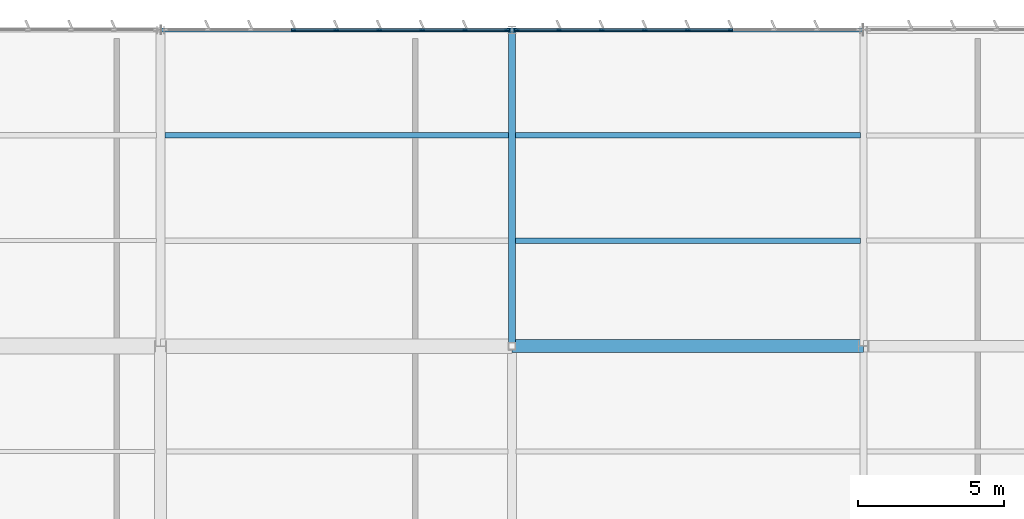
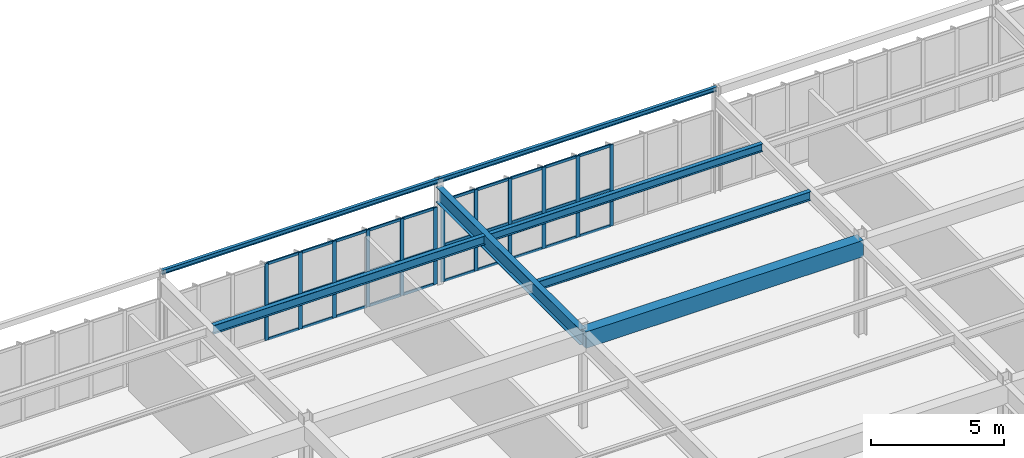
# One storey, part 92 of 226: 42 members, 7 beams, 2 elements without a shape of their own.
"""IFC4 building model written with IfcOpenShell, lengths in metres."""

from ifc_helpers import new_model, si_unit, direction, frame, origin, origin_2d, place, context, subcontext, project, spatial, rectangle, i_section, extrude, material, layer, layer_set, material_profile, profile_set, type_object, element, aggregate, save


model = new_model("IFC4")

# Units and contexts
model_context = context("Model", 3, precision=1e-05, world=origin(), true_north=direction((0.0, 1.0)))
body_context = subcontext(model_context, "Body", "Model", "MODEL_VIEW")
ifc_project = project(units=[si_unit("LENGTHUNIT", "METRE"), si_unit("AREAUNIT", "SQUARE_METRE"), si_unit("VOLUMEUNIT", "CUBIC_METRE"), si_unit("PLANEANGLEUNIT", "RADIAN"), si_unit("MASSUNIT", "GRAM", prefix="KILO")], contexts=[model_context])

# Site, building, storey
site_placement = place(None, origin())
site = spatial("IfcSite", under=ifc_project, at=site_placement, CompositionType="ELEMENT")
building_placement = place(site_placement, origin())
building = spatial("IfcBuilding", under=site, at=building_placement, Name="Tarnwether General Hospital", CompositionType="ELEMENT")
storey_placement = place(building_placement, frame((0.0, 0.0, 4.800048828125)))
storey = spatial("IfcBuildingStorey", under=building, at=storey_placement, Name="L01", CompositionType="ELEMENT", Elevation=4.800048828125)

# Beams
ifc_material_1 = material(Name="Steel Grade 350 (350 MPa)", Category="steel")
ifc_material_profile_1 = material_profile(ifc_material_1, i_section(OverallWidth=0.25, OverallDepth=0.69189453125, WebThickness=0.009033203125, FlangeThickness=0.01611328125, at=origin_2d()), Name="700WB115")
ifc_profile_set_1 = profile_set([ifc_material_profile_1], Name="Steel Grade 350 (350 MPa)")
beam_type_1 = type_object("IfcBeamType", Name="BM-G02", PredefinedType="BEAM", material=ifc_profile_set_1)
beam_1_placement = place(storey_placement, frame((24.0, 115.199951171875, 4.083984375), z_axis=(0.0, 1.0, 0.0), x_axis=(-1.0, 0.0, 0.0)))
element("IfcBeam", 1, at=beam_1_placement, inside=storey, type_object=beam_type_1, Name="Primary Girder BMG-L01-2400_11520-2400_12600-1088", PredefinedType="BEAM", context=body_context, shape_type="SweptSolid", body=[
    extrude(i_section(OverallWidth=0.25, OverallDepth=0.69189453125, WebThickness=0.009033203125, FlangeThickness=0.01611328125, at=origin_2d()), origin(), (0.0, 0.0, 1.0), 10.800048828125),
])
ifc_material_2 = material(Name="Concrete 40 MPa", Category="concrete")
ifc_material_profile_2 = material_profile(ifc_material_2, rectangle(XDim=0.449951171875, YDim=0.75, at=origin_2d()), Name="RC-BM-450x750")
ifc_profile_set_2 = profile_set([ifc_material_profile_2], Name="Concrete 40 MPa")
beam_type_2 = type_object("IfcBeamType", Name="BM-G13", PredefinedType="BEAM", material=ifc_profile_set_2)
beam_2_placement = place(storey_placement, frame((24.0, 115.199951171875, 4.054931640625), z_axis=(1.0, 0.0, 0.0), x_axis=(0.0, 1.0, 0.0)))
element("IfcBeam", 2, at=beam_2_placement, inside=storey, type_object=beam_type_2, Name="Primary Girder BMG-L01-2400_11520-3600_11520-1087", PredefinedType="BEAM", context=body_context, shape_type="SweptSolid", body=[
    extrude(rectangle(XDim=0.449951171875, YDim=0.75, at=origin_2d()), origin(), (0.0, 0.0, 1.0), 12.0),
])
ifc_material_3 = material(Name="Steel Grade 350 (350 MPa)", Category="steel")
ifc_material_profile_3 = material_profile(ifc_material_3, i_section(OverallWidth=0.177978515625, OverallDepth=0.403076171875, WebThickness=0.007568359375, FlangeThickness=0.010986328125, at=origin_2d()), Name="410UB53.7")
ifc_profile_set_3 = profile_set([ifc_material_profile_3], Name="Steel Grade 350 (350 MPa)")
beam_type_3 = type_object("IfcBeamType", Name="BM-J02", PredefinedType="JOIST", material=ifc_profile_set_3)
beam_3_placement = place(storey_placement, frame((12.14404296875, 122.39990234375, 4.228515625), z_axis=(1.0, 0.0, 0.0), x_axis=(0.0, 1.0, 0.0)))
element("IfcBeam", 3, at=beam_3_placement, inside=storey, type_object=beam_type_3, Name="Composite Floor Joist BMG-L01-1214_12240-2388_12240-1318", PredefinedType="JOIST", context=body_context, shape_type="SweptSolid", body=[
    extrude(i_section(OverallWidth=0.177978515625, OverallDepth=0.403076171875, WebThickness=0.007568359375, FlangeThickness=0.010986328125, at=origin_2d()), origin(), (0.0, 0.0, 1.0), 11.737060546875),
])
beam_4_placement = place(storey_placement, frame((24.118896484375, 118.800048828125, 4.228515625), z_axis=(1.0, 0.0, 0.0), x_axis=(0.0, 1.0, 0.0)))
element("IfcBeam", 4, at=beam_4_placement, inside=storey, type_object=beam_type_3, Name="Composite Floor Joist BMG-L01-2412_11880-3589_11880-1327", PredefinedType="JOIST", context=body_context, shape_type="SweptSolid", body=[
    extrude(i_section(OverallWidth=0.177978515625, OverallDepth=0.403076171875, WebThickness=0.007568359375, FlangeThickness=0.010986328125, at=origin_2d()), origin(), (0.0, 0.0, 1.0), 11.773193359375),
])
ifc_material_4 = material(Name="Steel Grade 350 (350 MPa)", Category="steel")
ifc_material_profile_4 = material_profile(ifc_material_4, i_section(OverallWidth=0.172119140625, OverallDepth=0.35888671875, WebThickness=0.008056640625, FlangeThickness=0.012939453125, at=origin_2d()), Name="360UB56.7")
ifc_profile_set_4 = profile_set([ifc_material_profile_4], Name="Steel Grade 350 (350 MPa)")
beam_type_4 = type_object("IfcBeamType", Name="BM-J03", PredefinedType="JOIST", material=ifc_profile_set_4)
beam_5_placement = place(storey_placement, frame((24.118896484375, 122.39990234375, 4.25048828125), z_axis=(1.0, 0.0, 0.0), x_axis=(0.0, 1.0, 0.0)))
element("IfcBeam", 5, at=beam_5_placement, inside=storey, type_object=beam_type_4, Name="Composite Floor Joist BMG-L01-2412_12240-3589_12240-1328", PredefinedType="JOIST", context=body_context, shape_type="SweptSolid", body=[
    extrude(i_section(OverallWidth=0.172119140625, OverallDepth=0.35888671875, WebThickness=0.008056640625, FlangeThickness=0.012939453125, at=origin_2d()), origin(), (0.0, 0.0, 1.0), 11.773193359375),
])
ifc_material_5 = material(Name="Steel Grade 350 (350 MPa)", Category="steel")
ifc_material_profile_5 = material_profile(ifc_material_5, i_section(OverallWidth=0.133056640625, OverallDepth=0.202880859375, WebThickness=0.005859375, FlangeThickness=0.0078125, at=origin_2d()), Name="200UB25.4")
ifc_profile_set_5 = profile_set([ifc_material_profile_5], Name="Steel Grade 350 (350 MPa)")
beam_type_5 = type_object("IfcBeamType", Name="BM-SP5", PredefinedType="SPANDREL", material=ifc_profile_set_5)
beam_6_placement = place(storey_placement, frame((12.0, 126.0, 4.698486328125), z_axis=(1.0, 0.0, 0.0), x_axis=(0.0, 1.0, 0.0)))
element("IfcBeam", 6, at=beam_6_placement, inside=storey, type_object=beam_type_5, Name="Primary Girder BMG-L01-1200_12600-2400_12600-1074", PredefinedType="SPANDREL", context=body_context, shape_type="SweptSolid", body=[
    extrude(i_section(OverallWidth=0.133056640625, OverallDepth=0.202880859375, WebThickness=0.005859375, FlangeThickness=0.0078125, at=origin_2d()), origin(), (0.0, 0.0, 1.0), 12.0),
])
ifc_material_6 = material(Name="Steel Grade 350 (350 MPa)", Category="steel")
ifc_material_profile_6 = material_profile(ifc_material_6, i_section(OverallWidth=0.133056640625, OverallDepth=0.201904296875, WebThickness=0.0048828125, FlangeThickness=0.007080078125, at=origin_2d()), Name="200UB22.3")
ifc_profile_set_6 = profile_set([ifc_material_profile_6], Name="Steel Grade 350 (350 MPa)")
beam_type_6 = type_object("IfcBeamType", Name="BM-SP6", PredefinedType="SPANDREL", material=ifc_profile_set_6)
beam_7_placement = place(storey_placement, frame((24.0, 126.0, 4.698974609375), z_axis=(1.0, 0.0, 0.0), x_axis=(0.0, 1.0, 0.0)))
element("IfcBeam", 7, at=beam_7_placement, inside=storey, type_object=beam_type_6, Name="Primary Girder BMG-L01-2400_12600-3600_12600-1089", PredefinedType="SPANDREL", context=body_context, shape_type="SweptSolid", body=[
    extrude(i_section(OverallWidth=0.133056640625, OverallDepth=0.201904296875, WebThickness=0.0048828125, FlangeThickness=0.007080078125, at=origin_2d()), origin(), (0.0, 0.0, 1.0), 12.0),
])

# Curtain wall, members
ifc_material_7 = material(Name="Anodised aluminium", Category="aluminium")
ifc_layer = layer(ifc_material_7, 0.159912109375)
ifc_layer_set = layer_set([ifc_layer], Name="Anodised aluminium")
curtain_wall_type = type_object("IfcCurtainWallType", Name="CW-12", PredefinedType="NOTDEFINED", material=ifc_layer_set)
curtain_wall_1_placement = place(storey_placement, origin())
curtain_wall_1 = element("IfcCurtainWall", 8, at=curtain_wall_1_placement, inside=storey, type_object=curtain_wall_type, Name="Curtain Wall CWG-L01-121_1260-0318", PredefinedType="NOTDEFINED")
ifc_material_8 = material(Name="Anodised aluminium", Category="aluminium")
ifc_material_profile_7 = material_profile(ifc_material_8, rectangle(XDim=0.06005859375, YDim=0.159912109375, at=origin_2d()), Name="ALU-MUL-60x160")
ifc_profile_set_7 = profile_set([ifc_material_profile_7], Name="Anodised aluminium")
member_type_1 = type_object("IfcMemberType", Name="CW-ML1", PredefinedType="MULLION", material=ifc_profile_set_7)
member_1_placement = place(storey_placement, frame((16.53369140625, 126.0, 0.0), z_axis=(0.0, 0.0, 1.0), x_axis=(0.0, 1.0, 0.0)))
member_1 = element("IfcMember", 9, at=member_1_placement, type_object=member_type_1, Name="CW-12 mullion 4", PredefinedType="MULLION", context=body_context, shape_type="SweptSolid", body=[
    extrude(rectangle(XDim=0.06005859375, YDim=0.159912109375, at=origin_2d()), origin(), (0.0, 0.0, 1.0), 3.514892578125),
])
member_2_placement = place(storey_placement, frame((18.0, 126.0, 0.0), z_axis=(0.0, 0.0, 1.0), x_axis=(0.0, 1.0, 0.0)))
member_2 = element("IfcMember", 10, at=member_2_placement, type_object=member_type_1, Name="CW-12 mullion 5", PredefinedType="MULLION", context=body_context, shape_type="SweptSolid", body=[
    extrude(rectangle(XDim=0.06005859375, YDim=0.159912109375, at=origin_2d()), origin(), (0.0, 0.0, 1.0), 3.514892578125),
])
member_3_placement = place(storey_placement, frame((19.46630859375, 126.0, 0.0), z_axis=(0.0, 0.0, 1.0), x_axis=(0.0, 1.0, 0.0)))
member_3 = element("IfcMember", 11, at=member_3_placement, type_object=member_type_1, Name="CW-12 mullion 6", PredefinedType="MULLION", context=body_context, shape_type="SweptSolid", body=[
    extrude(rectangle(XDim=0.06005859375, YDim=0.159912109375, at=origin_2d()), origin(), (0.0, 0.0, 1.0), 3.514892578125),
])
member_4_placement = place(storey_placement, frame((20.9326171875, 126.0, 0.0), z_axis=(0.0, 0.0, 1.0), x_axis=(0.0, 1.0, 0.0)))
member_4 = element("IfcMember", 12, at=member_4_placement, type_object=member_type_1, Name="CW-12 mullion 7", PredefinedType="MULLION", context=body_context, shape_type="SweptSolid", body=[
    extrude(rectangle(XDim=0.06005859375, YDim=0.159912109375, at=origin_2d()), origin(), (0.0, 0.0, 1.0), 3.514892578125),
])
member_5_placement = place(storey_placement, frame((22.398681640625, 126.0, 0.0), z_axis=(0.0, 0.0, 1.0), x_axis=(0.0, 1.0, 0.0)))
member_5 = element("IfcMember", 13, at=member_5_placement, type_object=member_type_1, Name="CW-12 mullion 8", PredefinedType="MULLION", context=body_context, shape_type="SweptSolid", body=[
    extrude(rectangle(XDim=0.06005859375, YDim=0.159912109375, at=origin_2d()), origin(), (0.0, 0.0, 1.0), 3.514892578125),
])
member_6_placement = place(storey_placement, frame((23.8349609375, 126.0, 0.0), z_axis=(0.0, 0.0, 1.0), x_axis=(0.0, 1.0, 0.0)))
member_6 = element("IfcMember", 14, at=member_6_placement, type_object=member_type_1, Name="CW-12 mullion 9", PredefinedType="MULLION", context=body_context, shape_type="SweptSolid", body=[
    extrude(rectangle(XDim=0.06005859375, YDim=0.159912109375, at=origin_2d()), origin(), (0.0, 0.0, 1.0), 3.514892578125),
])

curtain_wall_2_placement = place(storey_placement, origin())
curtain_wall_2 = element("IfcCurtainWall", 15, at=curtain_wall_2_placement, inside=storey, type_object=curtain_wall_type, Name="Curtain Wall CWG-L01-241_1260-0319", PredefinedType="NOTDEFINED")
member_7_placement = place(storey_placement, frame((24.1650390625, 126.0, 0.0), z_axis=(0.0, 0.0, 1.0), x_axis=(0.0, 1.0, 0.0)))
member_7 = element("IfcMember", 16, at=member_7_placement, type_object=member_type_1, Name="CW-12 mullion 1", PredefinedType="MULLION", context=body_context, shape_type="SweptSolid", body=[
    extrude(rectangle(XDim=0.06005859375, YDim=0.159912109375, at=origin_2d()), origin(), (0.0, 0.0, 1.0), 3.722900390625),
])
member_8_placement = place(storey_placement, frame((25.601318359375, 126.0, 0.0), z_axis=(0.0, 0.0, 1.0), x_axis=(0.0, 1.0, 0.0)))
member_8 = element("IfcMember", 17, at=member_8_placement, type_object=member_type_1, Name="CW-12 mullion 2", PredefinedType="MULLION", context=body_context, shape_type="SweptSolid", body=[
    extrude(rectangle(XDim=0.06005859375, YDim=0.159912109375, at=origin_2d()), origin(), (0.0, 0.0, 1.0), 3.722900390625),
])
member_9_placement = place(storey_placement, frame((27.0673828125, 126.0, 0.0), z_axis=(0.0, 0.0, 1.0), x_axis=(0.0, 1.0, 0.0)))
member_9 = element("IfcMember", 18, at=member_9_placement, type_object=member_type_1, Name="CW-12 mullion 3", PredefinedType="MULLION", context=body_context, shape_type="SweptSolid", body=[
    extrude(rectangle(XDim=0.06005859375, YDim=0.159912109375, at=origin_2d()), origin(), (0.0, 0.0, 1.0), 3.722900390625),
])
member_10_placement = place(storey_placement, frame((28.53369140625, 126.0, 0.0), z_axis=(0.0, 0.0, 1.0), x_axis=(0.0, 1.0, 0.0)))
member_10 = element("IfcMember", 19, at=member_10_placement, type_object=member_type_1, Name="CW-12 mullion 4", PredefinedType="MULLION", context=body_context, shape_type="SweptSolid", body=[
    extrude(rectangle(XDim=0.06005859375, YDim=0.159912109375, at=origin_2d()), origin(), (0.0, 0.0, 1.0), 3.722900390625),
])
member_11_placement = place(storey_placement, frame((30.0, 126.0, 0.0), z_axis=(0.0, 0.0, 1.0), x_axis=(0.0, 1.0, 0.0)))
member_11 = element("IfcMember", 20, at=member_11_placement, type_object=member_type_1, Name="CW-12 mullion 5", PredefinedType="MULLION", context=body_context, shape_type="SweptSolid", body=[
    extrude(rectangle(XDim=0.06005859375, YDim=0.159912109375, at=origin_2d()), origin(), (0.0, 0.0, 1.0), 3.722900390625),
])
member_12_placement = place(storey_placement, frame((31.46630859375, 126.0, 0.0), z_axis=(0.0, 0.0, 1.0), x_axis=(0.0, 1.0, 0.0)))
member_12 = element("IfcMember", 21, at=member_12_placement, type_object=member_type_1, Name="CW-12 mullion 6", PredefinedType="MULLION", context=body_context, shape_type="SweptSolid", body=[
    extrude(rectangle(XDim=0.06005859375, YDim=0.159912109375, at=origin_2d()), origin(), (0.0, 0.0, 1.0), 3.722900390625),
])

# Member
ifc_material_9 = material(Name="Anodised aluminium", Category="aluminium")
ifc_material_profile_8 = material_profile(ifc_material_9, rectangle(XDim=0.06005859375, YDim=0.1201171875, at=origin_2d()), Name="ALU-TRN-60x120")
ifc_profile_set_8 = profile_set([ifc_material_profile_8], Name="Anodised aluminium")
member_type_2 = type_object("IfcMemberType", Name="CW-TR1", PredefinedType="USERDEFINED", material=ifc_profile_set_8)
member_13_placement = place(storey_placement, frame((16.563720703125, 126.0, 0.030029296875), z_axis=(1.0, 0.0, 0.0), x_axis=(0.0, 1.0, 0.0)))
member_13 = element("IfcMember", 22, at=member_13_placement, type_object=member_type_2, Name="CW-12 transom 4.1", ObjectType="TRANSOM", PredefinedType="USERDEFINED", context=body_context, shape_type="SweptSolid", body=[
    extrude(rectangle(XDim=0.06005859375, YDim=0.1201171875, at=origin_2d()), origin(), (0.0, 0.0, 1.0), 1.40625),
])

member_14_placement = place(storey_placement, frame((16.563720703125, 126.0, 1.581787109375), z_axis=(1.0, 0.0, 0.0), x_axis=(0.0, 1.0, 0.0)))
member_14 = element("IfcMember", 23, at=member_14_placement, type_object=member_type_2, Name="CW-12 transom 4.2", ObjectType="TRANSOM", PredefinedType="USERDEFINED", context=body_context, shape_type="SweptSolid", body=[
    extrude(rectangle(XDim=0.06005859375, YDim=0.1201171875, at=origin_2d()), origin(), (0.0, 0.0, 1.0), 1.40625),
])

member_15_placement = place(storey_placement, frame((16.563720703125, 126.0, 3.48486328125), z_axis=(1.0, 0.0, 0.0), x_axis=(0.0, 1.0, 0.0)))
member_15 = element("IfcMember", 24, at=member_15_placement, type_object=member_type_2, Name="CW-12 transom 4.3", ObjectType="TRANSOM", PredefinedType="USERDEFINED", context=body_context, shape_type="SweptSolid", body=[
    extrude(rectangle(XDim=0.06005859375, YDim=0.1201171875, at=origin_2d()), origin(), (0.0, 0.0, 1.0), 1.40625),
])

member_16_placement = place(storey_placement, frame((18.030029296875, 126.0, 0.030029296875), z_axis=(1.0, 0.0, 0.0), x_axis=(0.0, 1.0, 0.0)))
member_16 = element("IfcMember", 25, at=member_16_placement, type_object=member_type_2, Name="CW-12 transom 5.1", ObjectType="TRANSOM", PredefinedType="USERDEFINED", context=body_context, shape_type="SweptSolid", body=[
    extrude(rectangle(XDim=0.06005859375, YDim=0.1201171875, at=origin_2d()), origin(), (0.0, 0.0, 1.0), 1.40625),
])

member_17_placement = place(storey_placement, frame((18.030029296875, 126.0, 1.581787109375), z_axis=(1.0, 0.0, 0.0), x_axis=(0.0, 1.0, 0.0)))
member_17 = element("IfcMember", 26, at=member_17_placement, type_object=member_type_2, Name="CW-12 transom 5.2", ObjectType="TRANSOM", PredefinedType="USERDEFINED", context=body_context, shape_type="SweptSolid", body=[
    extrude(rectangle(XDim=0.06005859375, YDim=0.1201171875, at=origin_2d()), origin(), (0.0, 0.0, 1.0), 1.40625),
])

member_18_placement = place(storey_placement, frame((18.030029296875, 126.0, 3.48486328125), z_axis=(1.0, 0.0, 0.0), x_axis=(0.0, 1.0, 0.0)))
member_18 = element("IfcMember", 27, at=member_18_placement, type_object=member_type_2, Name="CW-12 transom 5.3", ObjectType="TRANSOM", PredefinedType="USERDEFINED", context=body_context, shape_type="SweptSolid", body=[
    extrude(rectangle(XDim=0.06005859375, YDim=0.1201171875, at=origin_2d()), origin(), (0.0, 0.0, 1.0), 1.40625),
])

member_19_placement = place(storey_placement, frame((19.496337890625, 126.0, 0.030029296875), z_axis=(1.0, 0.0, 0.0), x_axis=(0.0, 1.0, 0.0)))
member_19 = element("IfcMember", 28, at=member_19_placement, type_object=member_type_2, Name="CW-12 transom 6.1", ObjectType="TRANSOM", PredefinedType="USERDEFINED", context=body_context, shape_type="SweptSolid", body=[
    extrude(rectangle(XDim=0.06005859375, YDim=0.1201171875, at=origin_2d()), origin(), (0.0, 0.0, 1.0), 1.40625),
])

member_20_placement = place(storey_placement, frame((19.496337890625, 126.0, 1.581787109375), z_axis=(1.0, 0.0, 0.0), x_axis=(0.0, 1.0, 0.0)))
member_20 = element("IfcMember", 29, at=member_20_placement, type_object=member_type_2, Name="CW-12 transom 6.2", ObjectType="TRANSOM", PredefinedType="USERDEFINED", context=body_context, shape_type="SweptSolid", body=[
    extrude(rectangle(XDim=0.06005859375, YDim=0.1201171875, at=origin_2d()), origin(), (0.0, 0.0, 1.0), 1.40625),
])

member_21_placement = place(storey_placement, frame((19.496337890625, 126.0, 3.48486328125), z_axis=(1.0, 0.0, 0.0), x_axis=(0.0, 1.0, 0.0)))
member_21 = element("IfcMember", 30, at=member_21_placement, type_object=member_type_2, Name="CW-12 transom 6.3", ObjectType="TRANSOM", PredefinedType="USERDEFINED", context=body_context, shape_type="SweptSolid", body=[
    extrude(rectangle(XDim=0.06005859375, YDim=0.1201171875, at=origin_2d()), origin(), (0.0, 0.0, 1.0), 1.40625),
])

member_22_placement = place(storey_placement, frame((20.96240234375, 126.0, 0.030029296875), z_axis=(1.0, 0.0, 0.0), x_axis=(0.0, 1.0, 0.0)))
member_22 = element("IfcMember", 31, at=member_22_placement, type_object=member_type_2, Name="CW-12 transom 7.1", ObjectType="TRANSOM", PredefinedType="USERDEFINED", context=body_context, shape_type="SweptSolid", body=[
    extrude(rectangle(XDim=0.06005859375, YDim=0.1201171875, at=origin_2d()), origin(), (0.0, 0.0, 1.0), 1.40625),
])

member_23_placement = place(storey_placement, frame((20.96240234375, 126.0, 1.581787109375), z_axis=(1.0, 0.0, 0.0), x_axis=(0.0, 1.0, 0.0)))
member_23 = element("IfcMember", 32, at=member_23_placement, type_object=member_type_2, Name="CW-12 transom 7.2", ObjectType="TRANSOM", PredefinedType="USERDEFINED", context=body_context, shape_type="SweptSolid", body=[
    extrude(rectangle(XDim=0.06005859375, YDim=0.1201171875, at=origin_2d()), origin(), (0.0, 0.0, 1.0), 1.40625),
])

member_24_placement = place(storey_placement, frame((20.96240234375, 126.0, 3.48486328125), z_axis=(1.0, 0.0, 0.0), x_axis=(0.0, 1.0, 0.0)))
member_24 = element("IfcMember", 33, at=member_24_placement, type_object=member_type_2, Name="CW-12 transom 7.3", ObjectType="TRANSOM", PredefinedType="USERDEFINED", context=body_context, shape_type="SweptSolid", body=[
    extrude(rectangle(XDim=0.06005859375, YDim=0.1201171875, at=origin_2d()), origin(), (0.0, 0.0, 1.0), 1.40625),
])

member_25_placement = place(storey_placement, frame((22.4287109375, 126.0, 0.030029296875), z_axis=(1.0, 0.0, 0.0), x_axis=(0.0, 1.0, 0.0)))
member_25 = element("IfcMember", 34, at=member_25_placement, type_object=member_type_2, Name="CW-12 transom 8.1", ObjectType="TRANSOM", PredefinedType="USERDEFINED", context=body_context, shape_type="SweptSolid", body=[
    extrude(rectangle(XDim=0.06005859375, YDim=0.1201171875, at=origin_2d()), origin(), (0.0, 0.0, 1.0), 1.376220703125),
])

member_26_placement = place(storey_placement, frame((22.4287109375, 126.0, 1.581787109375), z_axis=(1.0, 0.0, 0.0), x_axis=(0.0, 1.0, 0.0)))
member_26 = element("IfcMember", 35, at=member_26_placement, type_object=member_type_2, Name="CW-12 transom 8.2", ObjectType="TRANSOM", PredefinedType="USERDEFINED", context=body_context, shape_type="SweptSolid", body=[
    extrude(rectangle(XDim=0.06005859375, YDim=0.1201171875, at=origin_2d()), origin(), (0.0, 0.0, 1.0), 1.376220703125),
])

member_27_placement = place(storey_placement, frame((22.4287109375, 126.0, 3.48486328125), z_axis=(1.0, 0.0, 0.0), x_axis=(0.0, 1.0, 0.0)))
member_27 = element("IfcMember", 36, at=member_27_placement, type_object=member_type_2, Name="CW-12 transom 8.3", ObjectType="TRANSOM", PredefinedType="USERDEFINED", context=body_context, shape_type="SweptSolid", body=[
    extrude(rectangle(XDim=0.06005859375, YDim=0.1201171875, at=origin_2d()), origin(), (0.0, 0.0, 1.0), 1.376220703125),
])

aggregate(curtain_wall_1, [member_1, member_2, member_3, member_4, member_5, member_6, member_13, member_14, member_15, member_16, member_17, member_18, member_19, member_20, member_21, member_22, member_23, member_24, member_25, member_26, member_27])

member_28_placement = place(storey_placement, frame((24.195068359375, 126.0, 0.030029296875), z_axis=(1.0, 0.0, 0.0), x_axis=(0.0, 1.0, 0.0)))
member_28 = element("IfcMember", 37, at=member_28_placement, type_object=member_type_2, Name="CW-12 transom 1.1", ObjectType="TRANSOM", PredefinedType="USERDEFINED", context=body_context, shape_type="SweptSolid", body=[
    extrude(rectangle(XDim=0.06005859375, YDim=0.1201171875, at=origin_2d()), origin(), (0.0, 0.0, 1.0), 1.376220703125),
])

member_29_placement = place(storey_placement, frame((24.195068359375, 126.0, 1.67529296875), z_axis=(1.0, 0.0, 0.0), x_axis=(0.0, 1.0, 0.0)))
member_29 = element("IfcMember", 38, at=member_29_placement, type_object=member_type_2, Name="CW-12 transom 1.2", ObjectType="TRANSOM", PredefinedType="USERDEFINED", context=body_context, shape_type="SweptSolid", body=[
    extrude(rectangle(XDim=0.06005859375, YDim=0.1201171875, at=origin_2d()), origin(), (0.0, 0.0, 1.0), 1.376220703125),
])

member_30_placement = place(storey_placement, frame((24.195068359375, 126.0, 3.69287109375), z_axis=(1.0, 0.0, 0.0), x_axis=(0.0, 1.0, 0.0)))
member_30 = element("IfcMember", 39, at=member_30_placement, type_object=member_type_2, Name="CW-12 transom 1.3", ObjectType="TRANSOM", PredefinedType="USERDEFINED", context=body_context, shape_type="SweptSolid", body=[
    extrude(rectangle(XDim=0.06005859375, YDim=0.1201171875, at=origin_2d()), origin(), (0.0, 0.0, 1.0), 1.376220703125),
])

member_31_placement = place(storey_placement, frame((25.63134765625, 126.0, 0.030029296875), z_axis=(1.0, 0.0, 0.0), x_axis=(0.0, 1.0, 0.0)))
member_31 = element("IfcMember", 40, at=member_31_placement, type_object=member_type_2, Name="CW-12 transom 2.1", ObjectType="TRANSOM", PredefinedType="USERDEFINED", context=body_context, shape_type="SweptSolid", body=[
    extrude(rectangle(XDim=0.06005859375, YDim=0.1201171875, at=origin_2d()), origin(), (0.0, 0.0, 1.0), 1.40625),
])

member_32_placement = place(storey_placement, frame((25.63134765625, 126.0, 1.67529296875), z_axis=(1.0, 0.0, 0.0), x_axis=(0.0, 1.0, 0.0)))
member_32 = element("IfcMember", 41, at=member_32_placement, type_object=member_type_2, Name="CW-12 transom 2.2", ObjectType="TRANSOM", PredefinedType="USERDEFINED", context=body_context, shape_type="SweptSolid", body=[
    extrude(rectangle(XDim=0.06005859375, YDim=0.1201171875, at=origin_2d()), origin(), (0.0, 0.0, 1.0), 1.40625),
])

member_33_placement = place(storey_placement, frame((25.63134765625, 126.0, 3.69287109375), z_axis=(1.0, 0.0, 0.0), x_axis=(0.0, 1.0, 0.0)))
member_33 = element("IfcMember", 42, at=member_33_placement, type_object=member_type_2, Name="CW-12 transom 2.3", ObjectType="TRANSOM", PredefinedType="USERDEFINED", context=body_context, shape_type="SweptSolid", body=[
    extrude(rectangle(XDim=0.06005859375, YDim=0.1201171875, at=origin_2d()), origin(), (0.0, 0.0, 1.0), 1.40625),
])

member_34_placement = place(storey_placement, frame((27.097412109375, 126.0, 0.030029296875), z_axis=(1.0, 0.0, 0.0), x_axis=(0.0, 1.0, 0.0)))
member_34 = element("IfcMember", 43, at=member_34_placement, type_object=member_type_2, Name="CW-12 transom 3.1", ObjectType="TRANSOM", PredefinedType="USERDEFINED", context=body_context, shape_type="SweptSolid", body=[
    extrude(rectangle(XDim=0.06005859375, YDim=0.1201171875, at=origin_2d()), origin(), (0.0, 0.0, 1.0), 1.40625),
])

member_35_placement = place(storey_placement, frame((27.097412109375, 126.0, 1.67529296875), z_axis=(1.0, 0.0, 0.0), x_axis=(0.0, 1.0, 0.0)))
member_35 = element("IfcMember", 44, at=member_35_placement, type_object=member_type_2, Name="CW-12 transom 3.2", ObjectType="TRANSOM", PredefinedType="USERDEFINED", context=body_context, shape_type="SweptSolid", body=[
    extrude(rectangle(XDim=0.06005859375, YDim=0.1201171875, at=origin_2d()), origin(), (0.0, 0.0, 1.0), 1.40625),
])

member_36_placement = place(storey_placement, frame((27.097412109375, 126.0, 3.69287109375), z_axis=(1.0, 0.0, 0.0), x_axis=(0.0, 1.0, 0.0)))
member_36 = element("IfcMember", 45, at=member_36_placement, type_object=member_type_2, Name="CW-12 transom 3.3", ObjectType="TRANSOM", PredefinedType="USERDEFINED", context=body_context, shape_type="SweptSolid", body=[
    extrude(rectangle(XDim=0.06005859375, YDim=0.1201171875, at=origin_2d()), origin(), (0.0, 0.0, 1.0), 1.40625),
])

member_37_placement = place(storey_placement, frame((28.563720703125, 126.0, 0.030029296875), z_axis=(1.0, 0.0, 0.0), x_axis=(0.0, 1.0, 0.0)))
member_37 = element("IfcMember", 46, at=member_37_placement, type_object=member_type_2, Name="CW-12 transom 4.1", ObjectType="TRANSOM", PredefinedType="USERDEFINED", context=body_context, shape_type="SweptSolid", body=[
    extrude(rectangle(XDim=0.06005859375, YDim=0.1201171875, at=origin_2d()), origin(), (0.0, 0.0, 1.0), 1.40625),
])

member_38_placement = place(storey_placement, frame((28.563720703125, 126.0, 1.67529296875), z_axis=(1.0, 0.0, 0.0), x_axis=(0.0, 1.0, 0.0)))
member_38 = element("IfcMember", 47, at=member_38_placement, type_object=member_type_2, Name="CW-12 transom 4.2", ObjectType="TRANSOM", PredefinedType="USERDEFINED", context=body_context, shape_type="SweptSolid", body=[
    extrude(rectangle(XDim=0.06005859375, YDim=0.1201171875, at=origin_2d()), origin(), (0.0, 0.0, 1.0), 1.40625),
])

member_39_placement = place(storey_placement, frame((28.563720703125, 126.0, 3.69287109375), z_axis=(1.0, 0.0, 0.0), x_axis=(0.0, 1.0, 0.0)))
member_39 = element("IfcMember", 48, at=member_39_placement, type_object=member_type_2, Name="CW-12 transom 4.3", ObjectType="TRANSOM", PredefinedType="USERDEFINED", context=body_context, shape_type="SweptSolid", body=[
    extrude(rectangle(XDim=0.06005859375, YDim=0.1201171875, at=origin_2d()), origin(), (0.0, 0.0, 1.0), 1.40625),
])

member_40_placement = place(storey_placement, frame((30.030029296875, 126.0, 0.030029296875), z_axis=(1.0, 0.0, 0.0), x_axis=(0.0, 1.0, 0.0)))
member_40 = element("IfcMember", 49, at=member_40_placement, type_object=member_type_2, Name="CW-12 transom 5.1", ObjectType="TRANSOM", PredefinedType="USERDEFINED", context=body_context, shape_type="SweptSolid", body=[
    extrude(rectangle(XDim=0.06005859375, YDim=0.1201171875, at=origin_2d()), origin(), (0.0, 0.0, 1.0), 1.40625),
])

member_41_placement = place(storey_placement, frame((30.030029296875, 126.0, 1.67529296875), z_axis=(1.0, 0.0, 0.0), x_axis=(0.0, 1.0, 0.0)))
member_41 = element("IfcMember", 50, at=member_41_placement, type_object=member_type_2, Name="CW-12 transom 5.2", ObjectType="TRANSOM", PredefinedType="USERDEFINED", context=body_context, shape_type="SweptSolid", body=[
    extrude(rectangle(XDim=0.06005859375, YDim=0.1201171875, at=origin_2d()), origin(), (0.0, 0.0, 1.0), 1.40625),
])

member_42_placement = place(storey_placement, frame((30.030029296875, 126.0, 3.69287109375), z_axis=(1.0, 0.0, 0.0), x_axis=(0.0, 1.0, 0.0)))
member_42 = element("IfcMember", 51, at=member_42_placement, type_object=member_type_2, Name="CW-12 transom 5.3", ObjectType="TRANSOM", PredefinedType="USERDEFINED", context=body_context, shape_type="SweptSolid", body=[
    extrude(rectangle(XDim=0.06005859375, YDim=0.1201171875, at=origin_2d()), origin(), (0.0, 0.0, 1.0), 1.40625),
])

aggregate(curtain_wall_2, [member_7, member_8, member_9, member_10, member_11, member_12, member_28, member_29, member_30, member_31, member_32, member_33, member_34, member_35, member_36, member_37, member_38, member_39, member_40, member_41, member_42])

save(model, "model.ifc")
